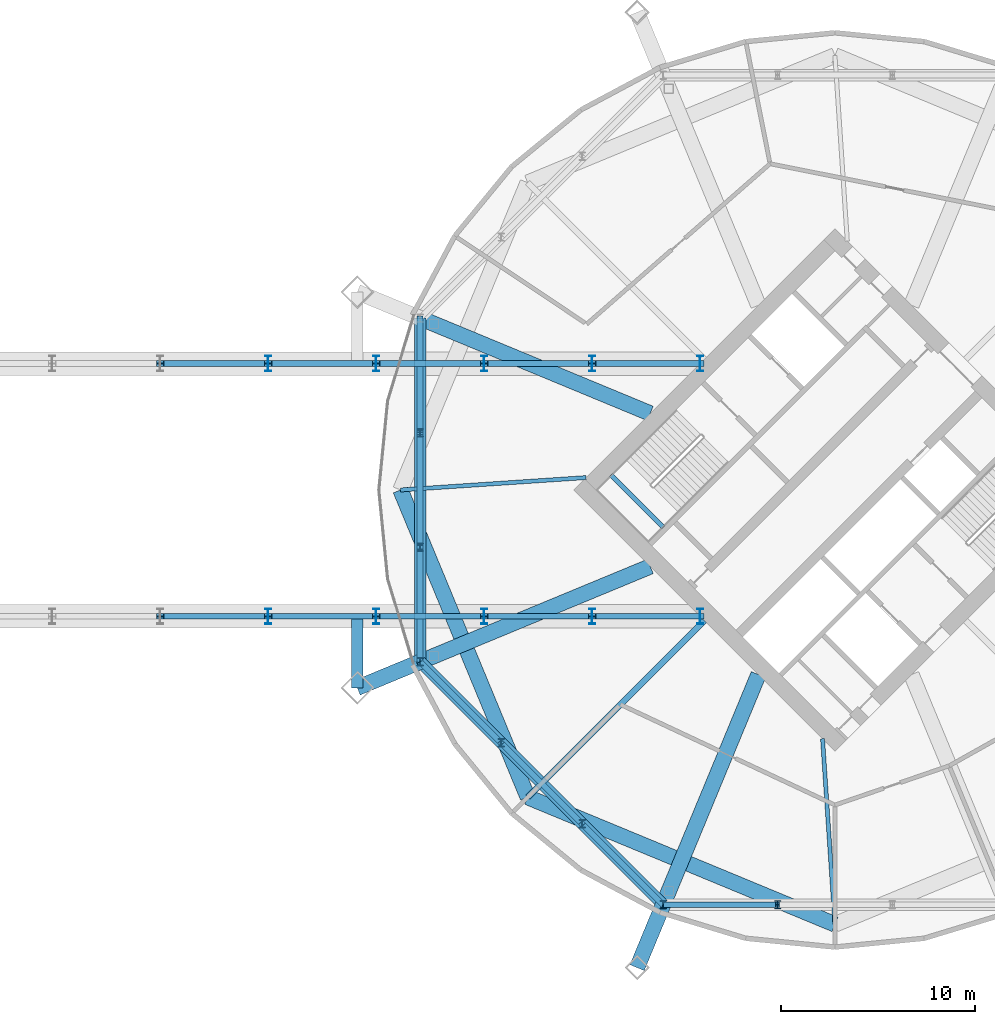
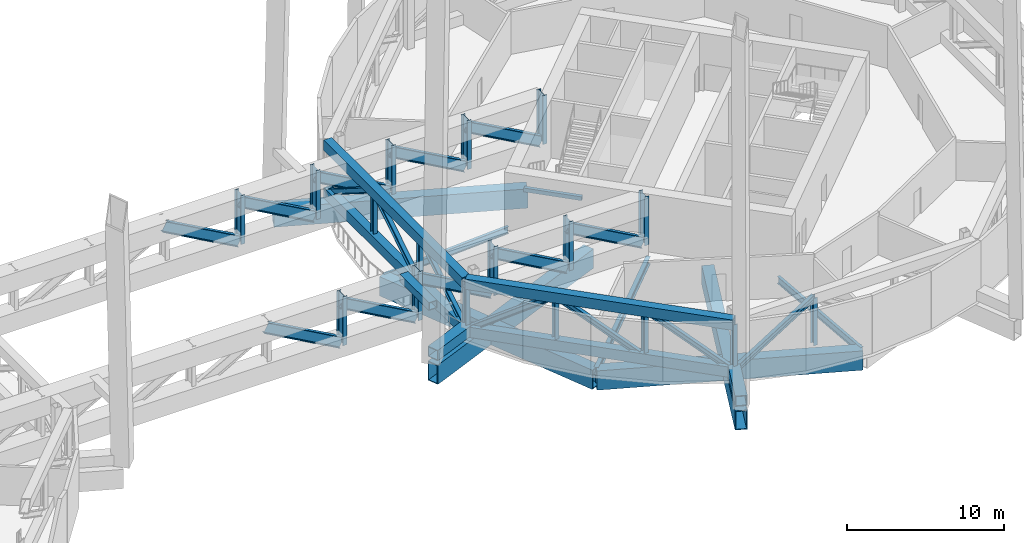
# One storey, part 8 of 19: 38 members, 12 beams.
"""IFC4 building model written with IfcOpenShell, lengths in metres."""

from ifc_helpers import new_model, si_unit, direction, frame, origin, origin_2d, place, context, subcontext, project, spatial, rectangle, hollow_rectangle, i_section, extrude, material, material_profile, profile_set, type_object, element, save


model = new_model("IFC4")

# Units and contexts
model_context = context("Model", 3, precision=1e-05, world=origin(), true_north=direction((0.0, 1.0)))
body_context = subcontext(model_context, "Body", "Model", "MODEL_VIEW")
ifc_project = project(units=[si_unit("LENGTHUNIT", "METRE"), si_unit("AREAUNIT", "SQUARE_METRE"), si_unit("VOLUMEUNIT", "CUBIC_METRE"), si_unit("PLANEANGLEUNIT", "RADIAN"), si_unit("MASSUNIT", "GRAM", prefix="KILO")], contexts=[model_context])

# Site, building, storey
site_placement = place(None, origin())
site = spatial("IfcSite", under=ifc_project, at=site_placement, CompositionType="ELEMENT")
building_placement = place(site_placement, origin())
building = spatial("IfcBuilding", under=site, at=building_placement, Name="Ogive Gate Towers", CompositionType="ELEMENT")
storey_placement = place(building_placement, frame((0.0, 0.0, 130.800048828125)))
storey = spatial("IfcBuildingStorey", under=building, at=storey_placement, Name="L31", CompositionType="ELEMENT", Elevation=130.800048828125)

# Beams
ifc_material_1 = material(Name="Steel SM460", Category="steel")
ifc_material_profile_1 = material_profile(ifc_material_1, hollow_rectangle(XDim=0.800048828125, YDim=1.5, WallThickness=0.06005859375, at=origin_2d()), Name="BX 1500x800x60")
ifc_profile_set_1 = profile_set([ifc_material_profile_1], Name="Steel SM460")
beam_type_1 = type_object("IfcBeamType", Name="Edge girder BX 1500x800x60", PredefinedType="BEAM", material=ifc_profile_set_1)
for number, where, z_axis, x_axis, name in (
    (1, (20.196044921875, -15.803955078125, -1.050048828125), (0.923880978344, -0.382679941797, 0.0), (0.382679941797, 0.923880978344, 0.0), "T2/L31/SBM017"),
    (2, (13.64990234375, 0.0, -1.050048828125), (0.382679941797, -0.923880978344, 0.0), (0.923880978344, 0.382679941797, 0.0), "T2/L31/SBM024"),
):
    element("IfcBeam", number, at=place(storey_placement, frame(where, z_axis=z_axis, x_axis=x_axis)), inside=storey, type_object=beam_type_1, Name=name, PredefinedType="BEAM", context=body_context, shape_type="SweptSolid", body=[
        extrude(hollow_rectangle(XDim=0.800048828125, YDim=1.5, WallThickness=0.06005859375, at=origin_2d()), origin(), (0.0, 0.0, 1.0), 17.10595703125),
    ])
ifc_material_profile_2 = material_profile(ifc_material_1, hollow_rectangle(XDim=0.60009765625, YDim=0.60009765625, WallThickness=0.0400390625, at=origin_2d()), Name="BX 600x600x40")
ifc_profile_set_2 = profile_set([ifc_material_profile_2], Name="Steel SM460")
beam_type_2 = type_object("IfcBeamType", Name="Gate link BX 600x600x40", PredefinedType="BEAM", material=ifc_profile_set_2)
beam_1_placement = place(storey_placement, frame((11.4248046875, -6.5, 4.199951171875), z_axis=(0.0, -1.0, 0.0), x_axis=(1.0, 0.0, 0.0)))
element("IfcBeam", 3, at=beam_1_placement, inside=storey, type_object=beam_type_2, Name="BR/L31/SBM004", PredefinedType="BEAM", context=body_context, shape_type="SweptSolid", body=[
    extrude(hollow_rectangle(XDim=0.60009765625, YDim=0.60009765625, WallThickness=0.0400390625, at=origin_2d()), origin(), (0.0, 0.0, 1.0), 3.679443359375),
])
ifc_material_2 = material(Name="Concrete C40/50", Category="concrete")
ifc_material_profile_3 = material_profile(ifc_material_2, rectangle(XDim=0.25, YDim=0.300048828125, at=origin_2d()), Name="RC 250x300")
ifc_profile_set_3 = profile_set([ifc_material_profile_3], Name="Concrete C40/50")
beam_type_3 = type_object("IfcBeamType", Name="Landing bearer RC 250x300", PredefinedType="BEAM", material=ifc_profile_set_3)
beam_2_placement = place(storey_placement, frame((24.472412109375, 0.77587890625, 2.050048828125), z_axis=(0.707106781187, -0.707106781187, 0.0), x_axis=(0.707106781187, 0.707106781187, 0.0)))
element("IfcBeam", 4, at=beam_2_placement, inside=storey, type_object=beam_type_3, Name="T2 L31 stair 1 landing bearer 1", PredefinedType="BEAM", context=body_context, shape_type="SweptSolid", body=[
    extrude(rectangle(XDim=0.25, YDim=0.300048828125, at=origin_2d()), origin(), (0.0, 0.0, 1.0), 3.824951171875),
])
ifc_material_profile_4 = material_profile(ifc_material_1, hollow_rectangle(XDim=0.800048828125, YDim=0.800048828125, WallThickness=0.050048828125, at=origin_2d()), Name="BX 800x800x50")
ifc_profile_set_4 = profile_set([ifc_material_profile_4], Name="Steel SM460")
beam_type_4 = type_object("IfcBeamType", Name="Node arm BX 800x800x50", PredefinedType="BEAM", material=ifc_profile_set_4)
for number, where, z_axis, x_axis, name in (
    (5, (14.658447265625, -8.840087890625, 0.449951171875), (-0.923885910704, -0.382668033682, 0.0), (0.382668033682, -0.923885910704, 0.0), "T2/L31/SBM029"),
    (6, (27.159912109375, -21.341552734375, 0.449951171875), (-0.382668033682, -0.923885910704, 0.0), (0.923885910704, -0.382668033682, 0.0), "T2/L31/SBM030"),
):
    element("IfcBeam", number, at=place(storey_placement, frame(where, z_axis=z_axis, x_axis=x_axis)), inside=storey, type_object=beam_type_4, Name=name, PredefinedType="BEAM", context=body_context, shape_type="SweptSolid", body=[
        extrude(hollow_rectangle(XDim=0.800048828125, YDim=0.800048828125, WallThickness=0.050048828125, at=origin_2d()), origin(), (0.0, 0.0, 1.0), 3.5),
    ])
ifc_material_3 = material(Name="Steel SM355", Category="steel")
ifc_material_profile_5 = material_profile(ifc_material_3, i_section(OverallWidth=0.300048828125, OverallDepth=0.590087890625, WebThickness=0.012939453125, FlangeThickness=0.02490234375, FilletRadius=0.027099609375, at=origin_2d()), Name="HE 600 A")
ifc_profile_set_5 = profile_set([ifc_material_profile_5], Name="Steel SM355")
beam_type_5 = type_object("IfcBeamType", Name="Radial floor beam HE 600 A", PredefinedType="BEAM", material=ifc_profile_set_5)
beam_3_placement = place(storey_placement, frame((29.282470703125, -6.717529296875, -0.594970703125), z_axis=(-0.707106781187, -0.707106781187, 0.0), x_axis=(0.707106781187, -0.707106781187, 0.0)))
element("IfcBeam", 7, at=beam_3_placement, inside=storey, type_object=beam_type_5, Name="T2/L31/SBM001", PredefinedType="BEAM", context=body_context, shape_type="SweptSolid", body=[
    extrude(i_section(OverallWidth=0.300048828125, OverallDepth=0.590087890625, WebThickness=0.012939453125, FlangeThickness=0.02490234375, FilletRadius=0.027099609375, at=origin_2d()), origin(), (0.0, 0.0, 1.0), 12.85009765625),
])
ifc_material_profile_6 = material_profile(ifc_material_3, i_section(OverallWidth=0.2099609375, OverallDepth=0.550048828125, WebThickness=0.010986328125, FlangeThickness=0.01708984375, FilletRadius=0.02392578125, at=origin_2d()), Name="IPE 550")
ifc_profile_set_6 = profile_set([ifc_material_profile_6], Name="Steel SM355")
beam_type_6 = type_object("IfcBeamType", Name="Radial floor beam IPE 550", PredefinedType="BEAM", material=ifc_profile_set_6)
for number, where, z_axis, x_axis, name in (
    (8, (35.363525390625, -12.798583984375, -0.574951171875), (0.066488541289, -0.997787188672, 0.0), (0.997787188672, 0.066488541289, 0.0), "T2/L31/SBM003"),
    (9, (23.201416015625, 0.636474609375, -0.574951171875), (-0.997787188672, -0.066488541289, 0.0), (0.066488541289, -0.997787188672, 0.0), "T2/L31/SBM015"),
):
    element("IfcBeam", number, at=place(storey_placement, frame(where, z_axis=z_axis, x_axis=x_axis)), inside=storey, type_object=beam_type_6, Name=name, PredefinedType="BEAM", context=body_context, shape_type="SweptSolid", body=[
        extrude(i_section(OverallWidth=0.2099609375, OverallDepth=0.550048828125, WebThickness=0.010986328125, FlangeThickness=0.01708984375, FilletRadius=0.02392578125, at=origin_2d()), origin(), (0.0, 0.0, 1.0), 9.57275390625),
    ])
ifc_material_profile_7 = material_profile(ifc_material_1, hollow_rectangle(XDim=0.800048828125, YDim=1.5, WallThickness=0.06005859375, at=origin_2d()), Name="BX 1500x800x60")
ifc_profile_set_7 = profile_set([ifc_material_profile_7], Name="Steel SM460")
beam_type_7 = type_object("IfcBeamType", Name="Transfer radial beam BX 1500x800x60", PredefinedType="BEAM", material=ifc_profile_set_7)
for number, where, z_axis, x_axis, name in (
    (10, (32.06494140625, -9.5, -1.050048828125), (-0.382685232436, -0.923878786896, 0.0), (0.923878786896, -0.382685232436, 0.0), "T2/L31/SBM002"),
    (11, (26.5, 3.93505859375, -1.050048828125), (-0.923878786896, 0.382685232436, 0.0), (-0.382685232436, -0.923878786896, 0.0), "T2/L31/SBM014"),
    (12, (26.5, -3.93505859375, -1.050048828125), (-0.923878786896, -0.382685232436, 0.0), (0.382685232436, -0.923878786896, 0.0), "T2/L31/SBM016"),
):
    element("IfcBeam", number, at=place(storey_placement, frame(where, z_axis=z_axis, x_axis=x_axis)), inside=storey, type_object=beam_type_7, Name=name, PredefinedType="BEAM", context=body_context, shape_type="SweptSolid", body=[
        extrude(hollow_rectangle(XDim=0.800048828125, YDim=1.5, WallThickness=0.06005859375, at=origin_2d()), origin(), (0.0, 0.0, 1.0), 16.3173828125),
    ])

# Members
ifc_material_profile_8 = material_profile(ifc_material_1, hollow_rectangle(XDim=0.60009765625, YDim=0.800048828125, WallThickness=0.0400390625, at=origin_2d()), Name="BX 800x600x40")
ifc_profile_set_8 = profile_set([ifc_material_profile_8], Name="Steel SM460")
member_type_1 = type_object("IfcMemberType", Name="Truss chord BX 800x600x40", PredefinedType="CHORD", material=ifc_profile_set_8)
for number, where, z_axis, x_axis, name in (
    (13, (14.658447265625, 8.840087890625, 0.39990234375), (0.0, -1.0, 0.0), (1.0, 0.0, 0.0), "T2/L31/STR026"),
    (14, (14.658447265625, 8.840087890625, 4.099853515625), (0.0, -1.0, 0.0), (1.0, 0.0, 0.0), "T2/L31/STR027"),
):
    element("IfcMember", number, at=place(storey_placement, frame(where, z_axis=z_axis, x_axis=x_axis)), inside=storey, type_object=member_type_1, Name=name, PredefinedType="CHORD", context=body_context, shape_type="SweptSolid", body=[
        extrude(hollow_rectangle(XDim=0.60009765625, YDim=0.800048828125, WallThickness=0.0400390625, at=origin_2d()), origin(), (0.0, 0.0, 1.0), 17.68017578125),
    ])
for number, where, z_axis, x_axis, name in (
    (15, (14.658447265625, -8.840087890625, 0.39990234375), (0.707106781187, -0.707106781187, 0.0), (0.707106781187, 0.707106781187, 0.0), "T2/L31/STR034"),
    (16, (14.658447265625, -8.840087890625, 4.099853515625), (0.707106781187, -0.707106781187, 0.0), (0.707106781187, 0.707106781187, 0.0), "T2/L31/STR035"),
):
    element("IfcMember", number, at=place(storey_placement, frame(where, z_axis=z_axis, x_axis=x_axis)), inside=storey, type_object=member_type_1, Name=name, PredefinedType="CHORD", context=body_context, shape_type="SweptSolid", body=[
        extrude(hollow_rectangle(XDim=0.60009765625, YDim=0.800048828125, WallThickness=0.0400390625, at=origin_2d()), origin(), (0.0, 0.0, 1.0), 17.6796875),
    ])
ifc_material_profile_9 = material_profile(ifc_material_1, i_section(OverallWidth=0.300048828125, OverallDepth=0.39990234375, WebThickness=0.013427734375, FlangeThickness=0.02392578125, FilletRadius=0.027099609375, at=origin_2d()), Name="HE 400 B")
ifc_profile_set_9 = profile_set([ifc_material_profile_9], Name="Steel SM460")
member_type_2 = type_object("IfcMemberType", Name="Truss diagonal HE 400 B", PredefinedType="BRACE", material=ifc_profile_set_9)
member_1_placement = place(storey_placement, frame((14.658447265625, 8.840087890625, 0.39990234375), z_axis=(0.0, -0.846922323401, 0.531716633297), x_axis=(1.0, 0.0, 0.0)))
element("IfcMember", 17, at=member_1_placement, inside=storey, type_object=member_type_2, Name="T2/L31/STR028", PredefinedType="BRACE", context=body_context, shape_type="SweptSolid", body=[
    extrude(i_section(OverallWidth=0.300048828125, OverallDepth=0.39990234375, WebThickness=0.013427734375, FlangeThickness=0.02392578125, FilletRadius=0.027099609375, at=origin_2d()), origin(), (0.0, 0.0, 1.0), 6.95849609375),
])
member_2_placement = place(storey_placement, frame((14.658447265625, 2.94677734375, 4.099853515625), z_axis=(0.0, -0.846932242345, -0.531700833999), x_axis=(1.0, 0.0, 0.0)))
element("IfcMember", 18, at=member_2_placement, inside=storey, type_object=member_type_2, Name="T2/L31/STR029", PredefinedType="BRACE", context=body_context, shape_type="SweptSolid", body=[
    extrude(i_section(OverallWidth=0.300048828125, OverallDepth=0.39990234375, WebThickness=0.013427734375, FlangeThickness=0.02392578125, FilletRadius=0.027099609375, at=origin_2d()), origin(), (0.0, 0.0, 1.0), 6.958740234375),
])
for number, where, z_axis, x_axis, name in (
    (19, (14.658447265625, -2.94677734375, 4.099853515625), (0.0, -0.846922323401, -0.531716633297), (1.0, 0.0, 0.0), "T2/L31/STR030"),
    (20, (14.658447265625, -8.840087890625, 0.39990234375), (0.598866000046, -0.598866000046, 0.531713294903), (0.707106781187, 0.707106781187, 0.0), "T2/L31/STR036"),
):
    element("IfcMember", number, at=place(storey_placement, frame(where, z_axis=z_axis, x_axis=x_axis)), inside=storey, type_object=member_type_2, Name=name, PredefinedType="BRACE", context=body_context, shape_type="SweptSolid", body=[
        extrude(i_section(OverallWidth=0.300048828125, OverallDepth=0.39990234375, WebThickness=0.013427734375, FlangeThickness=0.02392578125, FilletRadius=0.027099609375, at=origin_2d()), origin(), (0.0, 0.0, 1.0), 6.95849609375),
    ])
member_3_placement = place(storey_placement, frame((18.82568359375, -13.00732421875, 4.099853515625), z_axis=(0.598856080222, -0.598856080222, -0.531735639545), x_axis=(0.707106781187, 0.707106781187, 0.0)))
element("IfcMember", 21, at=member_3_placement, inside=storey, type_object=member_type_2, Name="T2/L31/STR037", PredefinedType="BRACE", context=body_context, shape_type="SweptSolid", body=[
    extrude(i_section(OverallWidth=0.300048828125, OverallDepth=0.39990234375, WebThickness=0.013427734375, FlangeThickness=0.02392578125, FilletRadius=0.027099609375, at=origin_2d()), origin(), (0.0, 0.0, 1.0), 6.958251953125),
])
for number, where, z_axis, x_axis, name in (
    (22, (22.99267578125, -17.17431640625, 4.099853515625), (0.598866000046, -0.598866000046, -0.531713294903), (0.707106781187, 0.707106781187, 0.0), "T2/L31/STR038"),
    (23, (27.159912109375, -21.341552734375, 0.39990234375), (0.846922323401, 0.0, 0.531716633297), (0.0, 1.0, 0.0), "T2/L31/STR044"),
):
    element("IfcMember", number, at=place(storey_placement, frame(where, z_axis=z_axis, x_axis=x_axis)), inside=storey, type_object=member_type_2, Name=name, PredefinedType="BRACE", context=body_context, shape_type="SweptSolid", body=[
        extrude(i_section(OverallWidth=0.300048828125, OverallDepth=0.39990234375, WebThickness=0.013427734375, FlangeThickness=0.02392578125, FilletRadius=0.027099609375, at=origin_2d()), origin(), (0.0, 0.0, 1.0), 6.95849609375),
    ])
ifc_material_profile_10 = material_profile(ifc_material_1, i_section(OverallWidth=0.300048828125, OverallDepth=0.800048828125, WebThickness=0.017578125, FlangeThickness=0.032958984375, FilletRadius=0.030029296875, at=origin_2d()), Name="HE 800 B")
ifc_profile_set_10 = profile_set([ifc_material_profile_10], Name="Steel SM460")
member_type_3 = type_object("IfcMemberType", Name="Truss diagonal HE 800 B", PredefinedType="BRACE", material=ifc_profile_set_10)
member_4_placement = place(storey_placement, frame((1.282470703125, -6.5, 3.800048828125), z_axis=(0.87327440057, 0.0, -0.487228715604), x_axis=(0.0, 1.0, 0.0)))
element("IfcMember", 24, at=member_4_placement, inside=storey, type_object=member_type_3, Name="BR/L31/STR008", PredefinedType="BRACE", context=body_context, shape_type="SweptSolid", body=[
    extrude(i_section(OverallWidth=0.300048828125, OverallDepth=0.800048828125, WebThickness=0.017578125, FlangeThickness=0.032958984375, FilletRadius=0.030029296875, at=origin_2d()), origin(), (0.0, 0.0, 1.0), 6.36279296875),
])
member_5_placement = place(storey_placement, frame((6.8388671875, -6.5, 3.800048828125), z_axis=(0.873283508957, 0.0, -0.487212390015), x_axis=(0.0, 1.0, 0.0)))
element("IfcMember", 25, at=member_5_placement, inside=storey, type_object=member_type_3, Name="BR/L31/STR009", PredefinedType="BRACE", context=body_context, shape_type="SweptSolid", body=[
    extrude(i_section(OverallWidth=0.300048828125, OverallDepth=0.800048828125, WebThickness=0.017578125, FlangeThickness=0.032958984375, FilletRadius=0.030029296875, at=origin_2d()), origin(), (0.0, 0.0, 1.0), 6.363037109375),
])
member_6_placement = place(storey_placement, frame((12.3955078125, -6.5, 3.800048828125), z_axis=(0.87327440057, 0.0, -0.487228715604), x_axis=(0.0, 1.0, 0.0)))
element("IfcMember", 26, at=member_6_placement, inside=storey, type_object=member_type_3, Name="BR/L31/STR010", PredefinedType="BRACE", context=body_context, shape_type="SweptSolid", body=[
    extrude(i_section(OverallWidth=0.300048828125, OverallDepth=0.800048828125, WebThickness=0.017578125, FlangeThickness=0.032958984375, FilletRadius=0.030029296875, at=origin_2d()), origin(), (0.0, 0.0, 1.0), 6.36279296875),
])
member_7_placement = place(storey_placement, frame((17.951904296875, -6.5, 3.800048828125), z_axis=(0.873283508957, 0.0, -0.487212390015), x_axis=(0.0, 1.0, 0.0)))
element("IfcMember", 27, at=member_7_placement, inside=storey, type_object=member_type_3, Name="BR/L31/STR011", PredefinedType="BRACE", context=body_context, shape_type="SweptSolid", body=[
    extrude(i_section(OverallWidth=0.300048828125, OverallDepth=0.800048828125, WebThickness=0.017578125, FlangeThickness=0.032958984375, FilletRadius=0.030029296875, at=origin_2d()), origin(), (0.0, 0.0, 1.0), 6.363037109375),
])
for number, where, z_axis, x_axis, name in (
    (28, (23.508544921875, -6.5, 3.800048828125), (0.87327440057, 0.0, -0.487228715604), (0.0, 1.0, 0.0), "BR/L31/STR012"),
    (29, (1.282470703125, 6.5, 3.800048828125), (0.87327440057, 0.0, -0.487228715604), (0.0, 1.0, 0.0), "BR/L31/STR031"),
):
    element("IfcMember", number, at=place(storey_placement, frame(where, z_axis=z_axis, x_axis=x_axis)), inside=storey, type_object=member_type_3, Name=name, PredefinedType="BRACE", context=body_context, shape_type="SweptSolid", body=[
        extrude(i_section(OverallWidth=0.300048828125, OverallDepth=0.800048828125, WebThickness=0.017578125, FlangeThickness=0.032958984375, FilletRadius=0.030029296875, at=origin_2d()), origin(), (0.0, 0.0, 1.0), 6.36279296875),
    ])
member_8_placement = place(storey_placement, frame((6.8388671875, 6.5, 3.800048828125), z_axis=(0.873283508957, 0.0, -0.487212390015), x_axis=(0.0, 1.0, 0.0)))
element("IfcMember", 30, at=member_8_placement, inside=storey, type_object=member_type_3, Name="BR/L31/STR032", PredefinedType="BRACE", context=body_context, shape_type="SweptSolid", body=[
    extrude(i_section(OverallWidth=0.300048828125, OverallDepth=0.800048828125, WebThickness=0.017578125, FlangeThickness=0.032958984375, FilletRadius=0.030029296875, at=origin_2d()), origin(), (0.0, 0.0, 1.0), 6.363037109375),
])
member_9_placement = place(storey_placement, frame((12.3955078125, 6.5, 3.800048828125), z_axis=(0.87327440057, 0.0, -0.487228715604), x_axis=(0.0, 1.0, 0.0)))
element("IfcMember", 31, at=member_9_placement, inside=storey, type_object=member_type_3, Name="BR/L31/STR033", PredefinedType="BRACE", context=body_context, shape_type="SweptSolid", body=[
    extrude(i_section(OverallWidth=0.300048828125, OverallDepth=0.800048828125, WebThickness=0.017578125, FlangeThickness=0.032958984375, FilletRadius=0.030029296875, at=origin_2d()), origin(), (0.0, 0.0, 1.0), 6.36279296875),
])
member_10_placement = place(storey_placement, frame((17.951904296875, 6.5, 3.800048828125), z_axis=(0.873283508957, 0.0, -0.487212390015), x_axis=(0.0, 1.0, 0.0)))
element("IfcMember", 32, at=member_10_placement, inside=storey, type_object=member_type_3, Name="BR/L31/STR034", PredefinedType="BRACE", context=body_context, shape_type="SweptSolid", body=[
    extrude(i_section(OverallWidth=0.300048828125, OverallDepth=0.800048828125, WebThickness=0.017578125, FlangeThickness=0.032958984375, FilletRadius=0.030029296875, at=origin_2d()), origin(), (0.0, 0.0, 1.0), 6.363037109375),
])
member_11_placement = place(storey_placement, frame((23.508544921875, 6.5, 3.800048828125), z_axis=(0.87327440057, 0.0, -0.487228715604), x_axis=(0.0, 1.0, 0.0)))
element("IfcMember", 33, at=member_11_placement, inside=storey, type_object=member_type_3, Name="BR/L31/STR035", PredefinedType="BRACE", context=body_context, shape_type="SweptSolid", body=[
    extrude(i_section(OverallWidth=0.300048828125, OverallDepth=0.800048828125, WebThickness=0.017578125, FlangeThickness=0.032958984375, FilletRadius=0.030029296875, at=origin_2d()), origin(), (0.0, 0.0, 1.0), 6.36279296875),
])
ifc_material_profile_11 = material_profile(ifc_material_1, i_section(OverallWidth=0.300048828125, OverallDepth=0.39990234375, WebThickness=0.013427734375, FlangeThickness=0.02392578125, FilletRadius=0.027099609375, at=origin_2d()), Name="HE 400 B")
ifc_profile_set_11 = profile_set([ifc_material_profile_11], Name="Steel SM460")
member_type_4 = type_object("IfcMemberType", Name="Truss post HE 400 B", PredefinedType="POST", material=ifc_profile_set_11)
for number, where, z_axis, x_axis, name in (
    (34, (14.658447265625, 2.94677734375, 0.39990234375), (0.0, 0.0, 1.0), (1.0, 0.0, 0.0), "T2/L31/STR031"),
    (35, (14.658447265625, -2.94677734375, 0.39990234375), (0.0, 0.0, 1.0), (1.0, 0.0, 0.0), "T2/L31/STR032"),
    (36, (14.658447265625, -8.840087890625, 0.39990234375), (0.0, 0.0, 1.0), (1.0, 0.0, 0.0), "T2/L31/STR033"),
    (37, (18.82568359375, -13.00732421875, 0.39990234375), (0.0, 0.0, 1.0), (1.0, 0.0, 0.0), "T2/L31/STR039"),
    (38, (22.99267578125, -17.17431640625, 0.39990234375), (0.0, 0.0, 1.0), (1.0, 0.0, 0.0), "T2/L31/STR040"),
    (39, (27.159912109375, -21.341552734375, 0.39990234375), (0.0, 0.0, 1.0), (1.0, 0.0, 0.0), "T2/L31/STR041"),
    (40, (33.05322265625, -21.341552734375, 0.39990234375), (0.0, 0.0, 1.0), (1.0, 0.0, 0.0), "T2/L31/STR047"),
):
    element("IfcMember", number, at=place(storey_placement, frame(where, z_axis=z_axis, x_axis=x_axis)), inside=storey, type_object=member_type_4, Name=name, PredefinedType="POST", context=body_context, shape_type="SweptSolid", body=[
        extrude(i_section(OverallWidth=0.300048828125, OverallDepth=0.39990234375, WebThickness=0.013427734375, FlangeThickness=0.02392578125, FilletRadius=0.027099609375, at=origin_2d()), origin(), (0.0, 0.0, 1.0), 3.699951171875),
    ])
ifc_material_profile_12 = material_profile(ifc_material_1, i_section(OverallWidth=0.300048828125, OverallDepth=0.800048828125, WebThickness=0.017578125, FlangeThickness=0.032958984375, FilletRadius=0.030029296875, at=origin_2d()), Name="HE 800 B")
ifc_profile_set_12 = profile_set([ifc_material_profile_12], Name="Steel SM460")
member_type_5 = type_object("IfcMemberType", Name="Truss post HE 800 B", PredefinedType="POST", material=ifc_profile_set_12)
for number, where, z_axis, x_axis, name in (
    (41, (6.8388671875, -6.5, 0.699951171875), (0.0, 0.0, 1.0), (1.0, 0.0, 0.0), "BR/L31/STR019"),
    (42, (12.3955078125, -6.5, 0.699951171875), (0.0, 0.0, 1.0), (1.0, 0.0, 0.0), "BR/L31/STR020"),
    (43, (17.951904296875, -6.5, 0.699951171875), (0.0, 0.0, 1.0), (1.0, 0.0, 0.0), "BR/L31/STR021"),
    (44, (23.508544921875, -6.5, 0.699951171875), (0.0, 0.0, 1.0), (1.0, 0.0, 0.0), "BR/L31/STR022"),
    (45, (29.06494140625, -6.5, 0.699951171875), (0.0, 0.0, 1.0), (1.0, 0.0, 0.0), "BR/L31/STR023"),
    (46, (6.8388671875, 6.5, 0.699951171875), (0.0, 0.0, 1.0), (1.0, 0.0, 0.0), "BR/L31/STR042"),
    (47, (12.3955078125, 6.5, 0.699951171875), (0.0, 0.0, 1.0), (1.0, 0.0, 0.0), "BR/L31/STR043"),
    (48, (17.951904296875, 6.5, 0.699951171875), (0.0, 0.0, 1.0), (1.0, 0.0, 0.0), "BR/L31/STR044"),
    (49, (23.508544921875, 6.5, 0.699951171875), (0.0, 0.0, 1.0), (1.0, 0.0, 0.0), "BR/L31/STR045"),
    (50, (29.06494140625, 6.5, 0.699951171875), (0.0, 0.0, 1.0), (1.0, 0.0, 0.0), "BR/L31/STR046"),
):
    element("IfcMember", number, at=place(storey_placement, frame(where, z_axis=z_axis, x_axis=x_axis)), inside=storey, type_object=member_type_5, Name=name, PredefinedType="POST", context=body_context, shape_type="SweptSolid", body=[
        extrude(i_section(OverallWidth=0.300048828125, OverallDepth=0.800048828125, WebThickness=0.017578125, FlangeThickness=0.032958984375, FilletRadius=0.030029296875, at=origin_2d()), origin(), (0.0, 0.0, 1.0), 3.800048828125),
    ])

save(model, "model.ifc")
